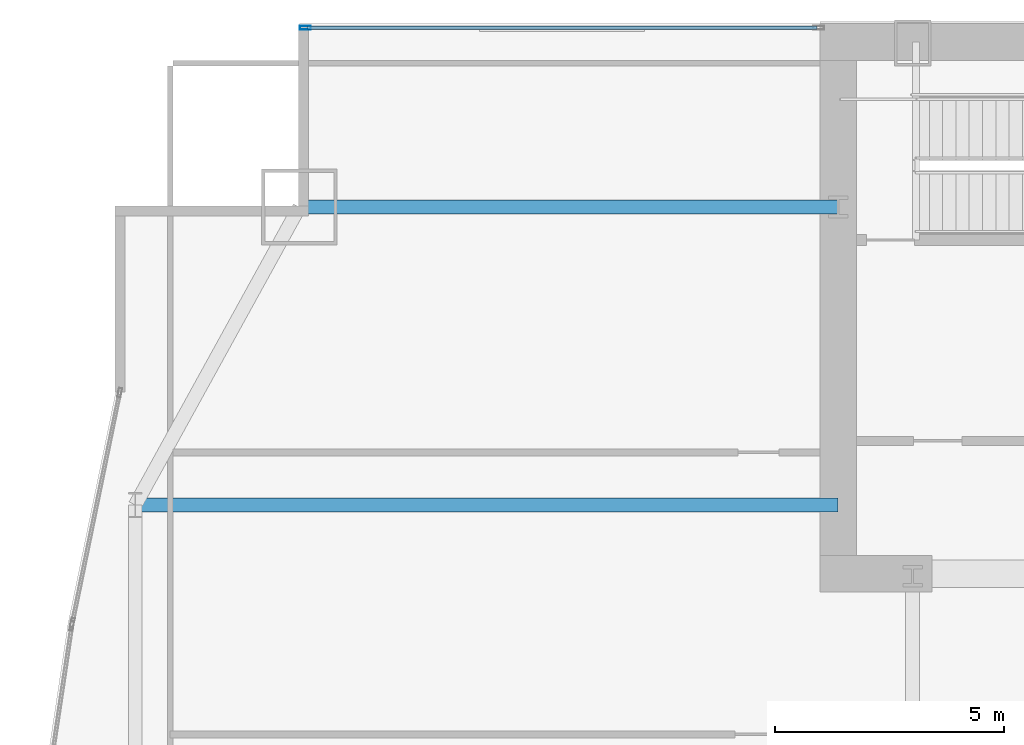
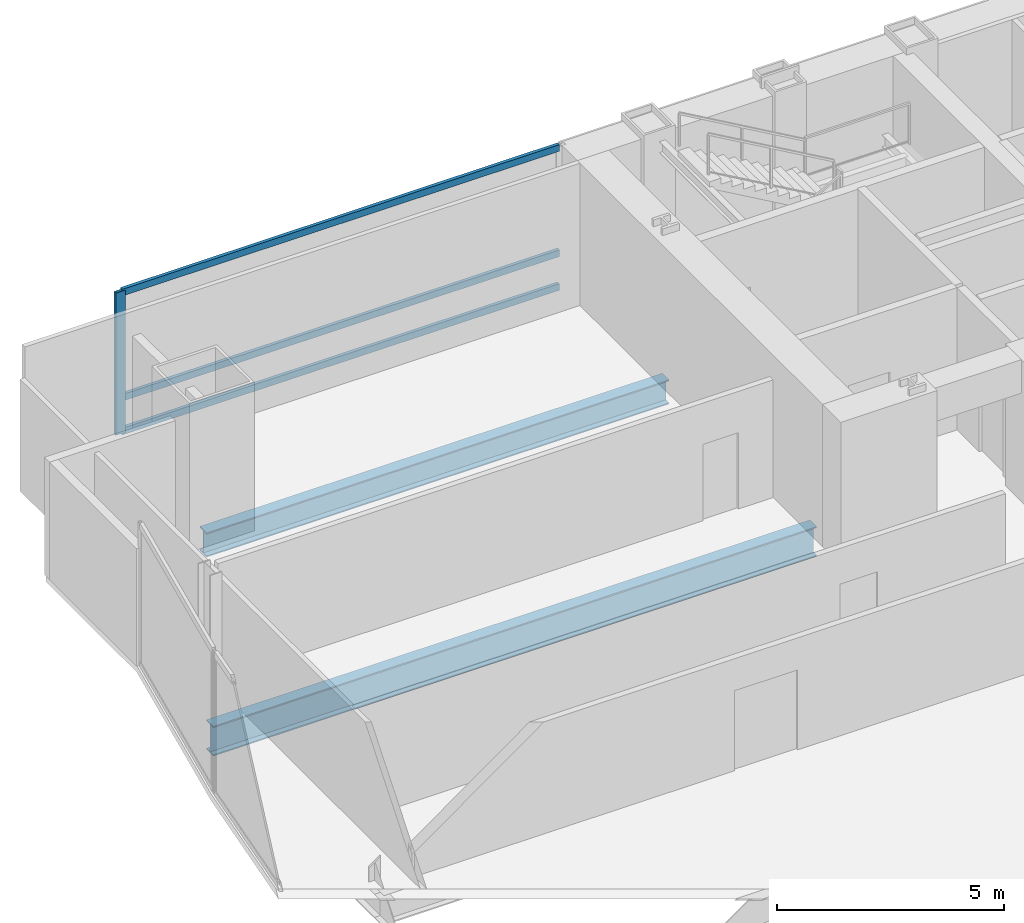
# One storey, part 17 of 36: 4 members, 2 beams, 1 element without a shape of its own.
"""IFC4 building model written with IfcOpenShell, lengths in metres."""

from ifc_helpers import new_model, si_unit, direction, frame, origin, origin_2d, place, context, subcontext, project, spatial, hollow_rectangle, i_section, extrude, material, material_profile, profile_set, type_object, element, aggregate, save


model = new_model("IFC4")

# Units and contexts
model_context = context("Model", 3, precision=1e-05, world=origin(), true_north=direction((0.0, 1.0)))
body_context = subcontext(model_context, "Body", "Model", "MODEL_VIEW")
ifc_project = project(units=[si_unit("LENGTHUNIT", "METRE"), si_unit("AREAUNIT", "SQUARE_METRE"), si_unit("VOLUMEUNIT", "CUBIC_METRE"), si_unit("PLANEANGLEUNIT", "RADIAN"), si_unit("MASSUNIT", "GRAM", prefix="KILO")], contexts=[model_context])

# Site, building, storey
site_placement = place(None, origin())
site = spatial("IfcSite", under=ifc_project, at=site_placement, CompositionType="ELEMENT")
building_placement = place(site_placement, origin())
building = spatial("IfcBuilding", under=site, at=building_placement, Name="Khoronbel Lancet Exchange", CompositionType="ELEMENT")
storey_placement = place(building_placement, frame((0.0, 0.0, 57.800048828125)))
storey = spatial("IfcBuildingStorey", under=building, at=storey_placement, Name="L13", CompositionType="ELEMENT", Elevation=57.800048828125)

# Beams
ifc_material_1 = material(Name="Steel S355", Category="steel")
ifc_material_profile_1 = material_profile(ifc_material_1, i_section(OverallWidth=0.300048828125, OverallDepth=0.800048828125, WebThickness=0.017578125, FlangeThickness=0.032958984375, at=origin_2d()), Name="HEB 800")
ifc_profile_set_1 = profile_set([ifc_material_profile_1], Name="Steel S355")
beam_type_1 = type_object("IfcBeamType", Name="BM-BG2", PredefinedType="BEAM", material=ifc_profile_set_1)
beam_1_placement = place(storey_placement, frame((1.27001953125, 43.199951171875, -0.580078125), z_axis=(1.0, 0.0, 0.0), x_axis=(0.0, 1.0, 0.0)))
element("IfcBeam", 1, at=beam_1_placement, inside=storey, type_object=beam_type_1, Name="Level L13 west lens tie girder LG3W", PredefinedType="BEAM", context=body_context, shape_type="SweptSolid", body=[
    extrude(i_section(OverallWidth=0.300048828125, OverallDepth=0.800048828125, WebThickness=0.017578125, FlangeThickness=0.032958984375, at=origin_2d()), origin(), (0.0, 0.0, 1.0), 15.330078125),
])
ifc_material_profile_2 = material_profile(ifc_material_1, i_section(OverallWidth=0.300048828125, OverallDepth=0.64990234375, WebThickness=0.01611328125, FlangeThickness=0.031005859375, at=origin_2d()), Name="HEB 650")
ifc_profile_set_2 = profile_set([ifc_material_profile_2], Name="Steel S355")
beam_type_2 = type_object("IfcBeamType", Name="BM-BSP1", PredefinedType="SPANDREL", material=ifc_profile_set_2)
beam_2_placement = place(storey_placement, frame((4.85009765625, 49.699951171875, -0.505126953125), z_axis=(1.0, 0.0, 0.0), x_axis=(0.0, 1.0, 0.0)))
element("IfcBeam", 2, at=beam_2_placement, inside=storey, type_object=beam_type_2, Name="Level L13 north flank tie spandrel SP22", PredefinedType="SPANDREL", context=body_context, shape_type="SweptSolid", body=[
    extrude(i_section(OverallWidth=0.300048828125, OverallDepth=0.64990234375, WebThickness=0.01611328125, FlangeThickness=0.031005859375, at=origin_2d()), origin(), (0.0, 0.0, 1.0), 11.75),
])

# Curtain wall, members
ifc_material_2 = material(Name="Low-E Solar Control Insulating Glass", Category="glass")
curtain_wall_type = type_object("IfcCurtainWallType", Name="CW-1", PredefinedType="NOTDEFINED", material=ifc_material_2)
curtain_wall_placement = place(storey_placement, origin())
curtain_wall = element("IfcCurtainWall", 3, at=curtain_wall_placement, inside=storey, type_object=curtain_wall_type, Name="Unitised curtain wall CW-L13-NWFLK", PredefinedType="NOTDEFINED")
ifc_material_3 = material(Name="Bronze-Anodised Aluminium 6063-T6", Category="aluminium")
ifc_material_profile_3 = material_profile(ifc_material_3, hollow_rectangle(XDim=0.0849609375, YDim=0.239990234375, WallThickness=0.006103515625, at=origin_2d()), Name="ALU MULLION 85x240")
ifc_profile_set_3 = profile_set([ifc_material_profile_3], Name="Bronze-Anodised Aluminium 6063-T6")
member_type_1 = type_object("IfcMemberType", Name="MEM-CWM1", PredefinedType="MULLION", material=ifc_profile_set_3)
member_1_placement = place(storey_placement, frame((4.982421875, 53.610107421875, 0.0), z_axis=(0.0, 0.0, 1.0), x_axis=(0.0, -1.0, 0.0)))
member_1 = element("IfcMember", 4, at=member_1_placement, type_object=member_type_1, Name="CW1 mullion 2", PredefinedType="MULLION", context=body_context, shape_type="SweptSolid", body=[
    extrude(hollow_rectangle(XDim=0.0849609375, YDim=0.239990234375, WallThickness=0.006103515625, at=origin_2d()), origin(), (0.0, 0.0, 1.0), 3.820068359375),
])
ifc_material_profile_4 = material_profile(ifc_material_3, hollow_rectangle(XDim=0.0849609375, YDim=0.179931640625, WallThickness=0.0048828125, at=origin_2d()), Name="ALU TRANSOM 85x180")
ifc_profile_set_4 = profile_set([ifc_material_profile_4], Name="Bronze-Anodised Aluminium 6063-T6")
member_type_2 = type_object("IfcMemberType", Name="MEM-CWT1", PredefinedType="USERDEFINED", material=ifc_profile_set_4)
member_2_placement = place(storey_placement, frame((16.135009765625, 53.610107421875, 0.04248046875), z_axis=(-1.0, 0.0, 0.0), x_axis=(0.0, -1.0, 0.0)))
member_2 = element("IfcMember", 5, at=member_2_placement, type_object=member_type_2, Name="CW1 transom 1.1", ObjectType="TRANSOM", PredefinedType="USERDEFINED", context=body_context, shape_type="SweptSolid", body=[
    extrude(hollow_rectangle(XDim=0.0849609375, YDim=0.179931640625, WallThickness=0.0048828125, at=origin_2d()), origin(), (0.0, 0.0, 1.0), 11.110107421875),
])
member_3_placement = place(storey_placement, frame((16.135009765625, 53.610107421875, 0.949951171875), z_axis=(-1.0, 0.0, 0.0), x_axis=(0.0, -1.0, 0.0)))
member_3 = element("IfcMember", 6, at=member_3_placement, type_object=member_type_2, Name="CW1 transom 1.2", ObjectType="TRANSOM", PredefinedType="USERDEFINED", context=body_context, shape_type="SweptSolid", body=[
    extrude(hollow_rectangle(XDim=0.0849609375, YDim=0.179931640625, WallThickness=0.0048828125, at=origin_2d()), origin(), (0.0, 0.0, 1.0), 11.110107421875),
])
member_4_placement = place(storey_placement, frame((16.135009765625, 53.610107421875, 3.77734375), z_axis=(-1.0, 0.0, 0.0), x_axis=(0.0, -1.0, 0.0)))
member_4 = element("IfcMember", 7, at=member_4_placement, type_object=member_type_2, Name="CW1 transom 1.3", ObjectType="TRANSOM", PredefinedType="USERDEFINED", context=body_context, shape_type="SweptSolid", body=[
    extrude(hollow_rectangle(XDim=0.0849609375, YDim=0.179931640625, WallThickness=0.0048828125, at=origin_2d()), origin(), (0.0, 0.0, 1.0), 11.110107421875),
])
aggregate(curtain_wall, [member_1, member_2, member_3, member_4])

save(model, "model.ifc")
